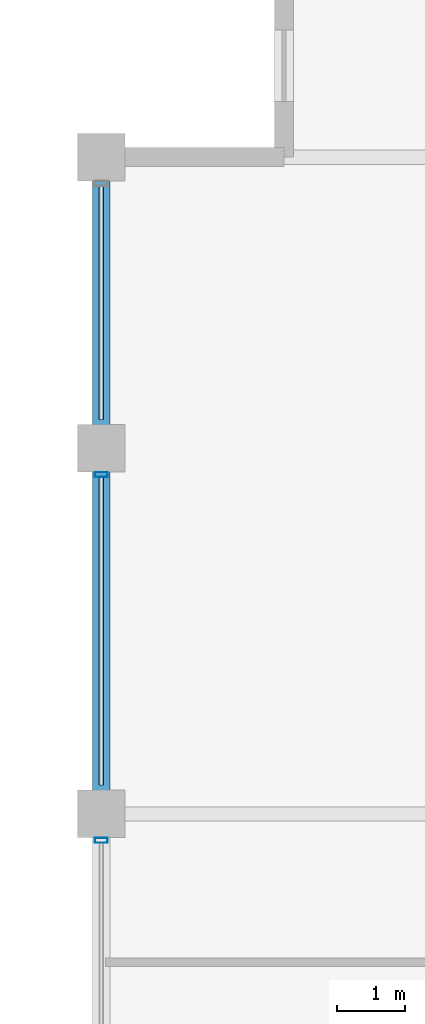
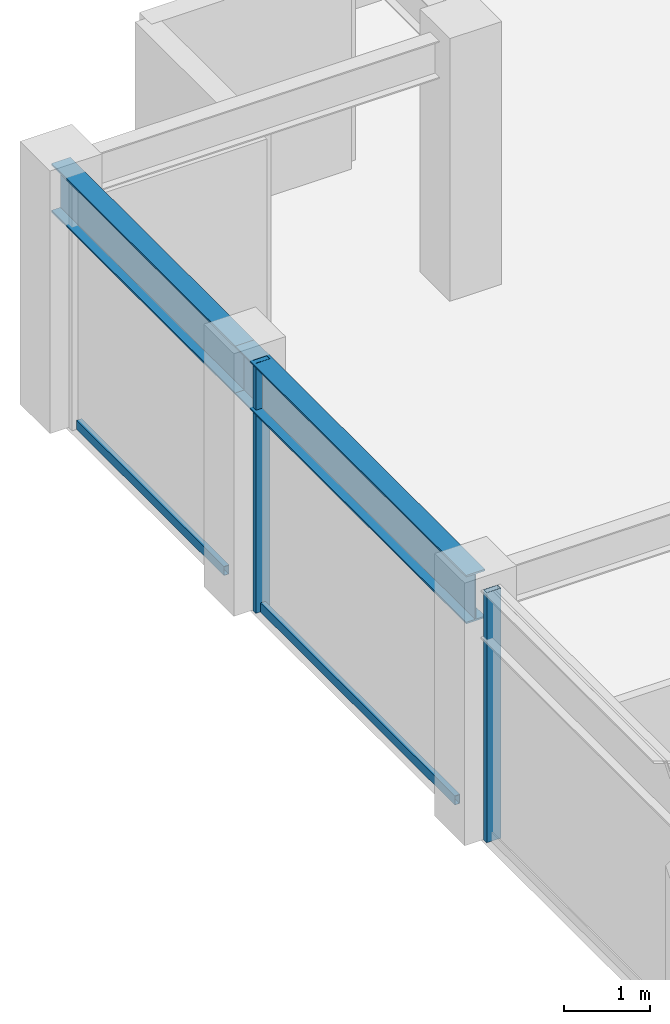
# One storey, part 14 of 30: 4 members, 2 beams, 1 element without a shape of its own.
"""IFC4 building model written with IfcOpenShell, lengths in metres."""

import ifcopenshell
import ifcopenshell.guid

model = None  # the IFC model being written
_history = None  # IfcOwnerHistory: only IFC2X3 demands one
_inside = {}  # id of a spatial element -> (the spatial element, [elements in it])
_under = {}  # id of a project, library or spatial element -> (it, [spatial elements below it])
_declared = {}  # id of a project -> (the project, [libraries it declares])
_typed = {}  # id of a type object -> (the type object, [elements of that type])
_made_of = {}  # id of a material, layer set ... -> (it, [elements and type objects made of it])


def new_model(schema):
    """Start an empty IFC model of exactly this schema.

    Asked for "IFC4X3", IfcOpenShell would pick the latest addendum, in which some entities
    have other attributes; the version numbers below select the first issue.
    IFC2X3 requires an IfcOwnerHistory on every rooted entity: one is made here for all.
    """
    global model, _history
    if schema == "IFC4X3":
        model = ifcopenshell.file(schema_version=(4, 3, 0, 0))
    else:
        model = ifcopenshell.file(schema=schema)
    _inside.clear()
    _under.clear()
    _declared.clear()
    _typed.clear()
    _made_of.clear()
    _history = None
    if model.schema == "IFC2X3":
        org = make("IfcOrganization", Name="unknown")
        user = make(
            "IfcPersonAndOrganization",
            ThePerson=make("IfcPerson", FamilyName="unknown"),
            TheOrganization=org,
        )
        app = make(
            "IfcApplication",
            ApplicationDeveloper=org,
            Version="unknown",
            ApplicationFullName="unknown",
            ApplicationIdentifier="unknown",
        )
        _history = make(
            "IfcOwnerHistory",
            OwningUser=user,
            OwningApplication=app,
            ChangeAction="ADDED",
            CreationDate=0,
        )
    return model


def make(cls, **values):
    """One entity of the class cls with the attributes given. An attribute that is None is left unset."""
    return model.create_entity(
        cls, **{name: value for name, value in values.items() if value is not None}
    )


def rooted(cls, **values):
    """An entity with a GlobalId (a new one), such as an element, a storey or a relation."""
    return make(cls, GlobalId=ifcopenshell.guid.new(), OwnerHistory=_history, **values)


def si_unit(unit_type, name, prefix=None):
    """IfcSIUnit, for example si_unit("LENGTHUNIT", "METRE", prefix="MILLI")."""
    return make("IfcSIUnit", UnitType=unit_type, Prefix=prefix, Name=name)


def assignment(units):
    """IfcUnitAssignment: the units of a project."""
    return None if units is None else make("IfcUnitAssignment", Units=units)


def point(xyz):
    """IfcCartesianPoint."""
    return None if xyz is None else make("IfcCartesianPoint", Coordinates=xyz)


def direction(xyz):
    """IfcDirection."""
    return None if xyz is None else make("IfcDirection", DirectionRatios=xyz)


def frame(location, z_axis=None, x_axis=None):
    """IfcAxis2Placement3D, a coordinate frame: its origin and axes. An axis left out is left unset."""
    return make(
        "IfcAxis2Placement3D",
        Location=point(location),
        Axis=direction(z_axis),
        RefDirection=direction(x_axis),
    )


def frame_2d(location, x_axis=None):
    """IfcAxis2Placement2D, a coordinate frame in the plane: its origin and x axis."""
    return make(
        "IfcAxis2Placement2D", Location=point(location), RefDirection=direction(x_axis)
    )


def origin():
    """The frame at (0, 0, 0) with its axes left unset."""
    return frame((0.0, 0.0, 0.0))


def origin_2d():
    """The frame at (0, 0) in the plane with its x axis left unset."""
    return frame_2d((0.0, 0.0))


def place(relative_to, where):
    """IfcLocalPlacement: puts the frame where relative to a parent placement (None: the world)."""
    return make(
        "IfcLocalPlacement", PlacementRelTo=relative_to, RelativePlacement=where
    )


def context(
    kind, dimensions, precision=None, world=None, true_north=None, identifier=None
):
    """IfcGeometricRepresentationContext, for example the 3D "Model" context."""
    return make(
        "IfcGeometricRepresentationContext",
        ContextIdentifier=identifier,
        ContextType=kind,
        CoordinateSpaceDimension=dimensions,
        Precision=precision,
        WorldCoordinateSystem=world,
        TrueNorth=true_north,
    )


def subcontext(parent, identifier, kind, view, scale=None):
    """IfcGeometricRepresentationSubContext, for example "Body" below "Model"."""
    return make(
        "IfcGeometricRepresentationSubContext",
        ContextIdentifier=identifier,
        ContextType=kind,
        ParentContext=parent,
        TargetScale=scale,
        TargetView=view,
    )


def project(units=None, contexts=None):
    """IfcProject with its units and contexts."""
    return rooted(
        "IfcProject",
        Name="project",
        RepresentationContexts=contexts,
        UnitsInContext=assignment(units),
    )


def spatial(cls, under=None, at=None, **own):
    """A site, building, storey or space (cls), placed at a placement, below another one or the project."""
    s = rooted(cls, ObjectPlacement=at, **own)
    if under is not None:
        _under.setdefault(under.id(), (under, []))[1].append(s)
    return s


def profile(cls, at=None, kind="AREA", **sizes):
    """A parametric profile (cls). Its sizes go by their IFC names, for example OverallWidth=200.0."""
    return make(cls, ProfileType=kind, Position=at, **sizes)


def hollow_rectangle(**sizes):
    """IfcRectangleHollowProfileDef."""
    return profile("IfcRectangleHollowProfileDef", **sizes)


def i_section(**sizes):
    """IfcIShapeProfileDef."""
    return profile("IfcIShapeProfileDef", **sizes)


def extrude(swept, where, along, depth):
    """IfcExtrudedAreaSolid: the profile swept, set in the frame where, extruded along a direction by depth."""
    return make(
        "IfcExtrudedAreaSolid",
        SweptArea=swept,
        Position=where,
        ExtrudedDirection=direction(along),
        Depth=depth,
    )


def shape(context_of_items, identifier, shape_type, items):
    """IfcShapeRepresentation: the items that make up one representation, for example the "Body"."""
    return make(
        "IfcShapeRepresentation",
        ContextOfItems=context_of_items,
        RepresentationIdentifier=identifier,
        RepresentationType=shape_type,
        Items=items,
    )


def material(Name=None, Category=None):
    """IfcMaterial."""
    return make("IfcMaterial", Name=Name, Category=Category)


def layer(
    of_material, thickness, ventilated=None, Name=None, Category=None, Priority=None
):
    """IfcMaterialLayer: one layer of a wall or slab, of a material (None: an air gap)."""
    return make(
        "IfcMaterialLayer",
        Material=of_material,
        LayerThickness=thickness,
        IsVentilated=ventilated,
        Name=Name,
        Category=Category,
        Priority=Priority,
    )


def layer_set(layers, Name=None):
    """IfcMaterialLayerSet."""
    return make("IfcMaterialLayerSet", MaterialLayers=layers, LayerSetName=Name)


def material_profile(
    of_material, cross_section, Name=None, Category=None, Priority=None
):
    """IfcMaterialProfile: a cross section and its material."""
    return make(
        "IfcMaterialProfile",
        Name=Name,
        Material=of_material,
        Profile=cross_section,
        Priority=Priority,
        Category=Category,
    )


def profile_set(profiles, Name=None, composite=None):
    """IfcMaterialProfileSet."""
    return make(
        "IfcMaterialProfileSet",
        Name=Name,
        MaterialProfiles=profiles,
        CompositeProfile=composite,
    )


def made_of(thing, what):
    """Note that an element or type object is made of a material, layer set ...; save() writes the relation."""
    if what is not None:
        _made_of.setdefault(what.id(), (what, []))[1].append(thing)
    return thing


def type_object(cls, material=None, **own):
    """A type object (cls), such as IfcWallType, which elements share."""
    return made_of(rooted(cls, **own), material)


def element(
    cls,
    number,
    at=None,
    inside=None,
    cuts=None,
    type_object=None,
    material=None,
    context=None,
    identifier="Body",
    shape_type=None,
    held_by="IfcProductDefinitionShape",
    body=None,
    shapes=None,
    **own,
):
    """One element of the class cls, such as IfcWall. Its Tag is "e" and its number.

    at: its placement. inside: the storey or other place that contains it. cuts: it is an
    opening in that element (IfcRelVoidsElement). A single representation is given by context,
    identifier, shape_type and body (its items); several are given by shapes. held_by: the class
    of the entity that holds the representations. save() writes the other relations.
    """
    e = rooted(cls, Tag="e%d" % number, ObjectPlacement=at, **own)
    if body is not None:
        shapes = [shape(context, identifier, shape_type, body)]
    if shapes is not None:
        e.Representation = make(held_by, Representations=shapes)
    if inside is not None:
        _inside.setdefault(inside.id(), (inside, []))[1].append(e)
    if cuts is not None:
        rooted(
            "IfcRelVoidsElement", RelatingBuildingElement=cuts, RelatedOpeningElement=e
        )
    if type_object is not None:
        _typed.setdefault(type_object.id(), (type_object, []))[1].append(e)
    return made_of(e, material)


def aggregate(whole, parts):
    """IfcRelAggregates: a whole, such as a stair, and the parts it consists of."""
    return rooted("IfcRelAggregates", RelatingObject=whole, RelatedObjects=parts)


def save(model, path):
    """Write the relations noted so far, then the file.

    IfcRelAggregates (storeys below a building ...), IfcRelContainedInSpatialStructure (elements
    in a storey), IfcRelDefinesByType, IfcRelAssociatesMaterial and IfcRelDeclares: one each for
    every whole, place, type object, material and project.
    """
    for whole, parts in _under.values():
        aggregate(whole, parts)
    for where, things in _inside.values():
        rooted(
            "IfcRelContainedInSpatialStructure",
            RelatedElements=things,
            RelatingStructure=where,
        )
    for kind, things in _typed.values():
        rooted("IfcRelDefinesByType", RelatedObjects=things, RelatingType=kind)
    for what, things in _made_of.values():
        rooted("IfcRelAssociatesMaterial", RelatedObjects=things, RelatingMaterial=what)
    for by, libraries in _declared.values():
        rooted("IfcRelDeclares", RelatingContext=by, RelatedDefinitions=libraries)
    model.write(path)


model = new_model("IFC4")

# Units and contexts
model_context = context("Model", 3, precision=1e-05, world=origin(), true_north=direction((0.0, 1.0)))
body_context = subcontext(model_context, "Body", "Model", "MODEL_VIEW")
ifc_project = project(units=[si_unit("LENGTHUNIT", "METRE"), si_unit("AREAUNIT", "SQUARE_METRE"), si_unit("VOLUMEUNIT", "CUBIC_METRE"), si_unit("PLANEANGLEUNIT", "RADIAN"), si_unit("MASSUNIT", "GRAM", prefix="KILO")], contexts=[model_context])

# Site, building, storey
site_placement = place(None, origin())
site = spatial("IfcSite", under=ifc_project, at=site_placement, CompositionType="ELEMENT")
building_placement = place(site_placement, origin())
building = spatial("IfcBuilding", under=site, at=building_placement, Name="Surkhivell Harbour Commons", CompositionType="ELEMENT")
storey_placement = place(building_placement, frame((0.0, 0.0, 281.25)))
storey = spatial("IfcBuildingStorey", under=building, at=storey_placement, Name="L73", CompositionType="ELEMENT", Elevation=281.25)

# Beams
ifc_material_1 = material(Name="Steel S355", Category="steel")
ifc_material_profile_1 = material_profile(ifc_material_1, i_section(OverallWidth=0.256103515625, OverallDepth=0.693115234375, WebThickness=0.014404296875, FlangeThickness=0.023681640625, at=origin_2d()), Name="UB686x254x170")
ifc_profile_set_1 = profile_set([ifc_material_profile_1], Name="Steel S355")
beam_type = type_object("IfcBeamType", Name="BM-SPN-686", PredefinedType="SPANDREL", material=ifc_profile_set_1)
beam_1_placement = place(storey_placement, frame((-27.0, 10.800048828125, 3.223388671875), z_axis=(0.0, 1.0, 0.0), x_axis=(-1.0, 0.0, 0.0)))
element("IfcBeam", 1, at=beam_1_placement, inside=storey, type_object=beam_type, Name="L73 Tube Spandrel (-27.0,10.8)", PredefinedType="SPANDREL", context=body_context, shape_type="SweptSolid", body=[
    extrude(i_section(OverallWidth=0.256103515625, OverallDepth=0.693115234375, WebThickness=0.014404296875, FlangeThickness=0.023681640625, at=origin_2d()), origin(), (0.0, 0.0, 1.0), 5.39990234375),
])
beam_2_placement = place(storey_placement, frame((-27.0, 16.199951171875, 3.223388671875), z_axis=(0.0, 1.0, 0.0), x_axis=(-1.0, 0.0, 0.0)))
element("IfcBeam", 2, at=beam_2_placement, inside=storey, type_object=beam_type, Name="L73 Tube Spandrel (-27.0,16.2)", PredefinedType="SPANDREL", context=body_context, shape_type="SweptSolid", body=[
    extrude(i_section(OverallWidth=0.256103515625, OverallDepth=0.693115234375, WebThickness=0.014404296875, FlangeThickness=0.023681640625, at=origin_2d()), origin(), (0.0, 0.0, 1.0), 4.300048828125),
])

# Curtain wall, members
ifc_material_2 = material(Name="Anodised pale-metal aluminium and insulated glazing", Category="aluminium")
ifc_layer = layer(ifc_material_2, 0.175048828125)
ifc_layer_set = layer_set([ifc_layer], Name="Anodised pale-metal aluminium and insulated glazing")
curtain_wall_type = type_object("IfcCurtainWallType", Name="CW-SYS-Z4", PredefinedType="NOTDEFINED", material=ifc_layer_set)
curtain_wall_placement = place(storey_placement, origin())
curtain_wall = element("IfcCurtainWall", 3, at=curtain_wall_placement, inside=storey, type_object=curtain_wall_type, Name="L73 Curtain Wall CW-L73-E12S1", PredefinedType="NOTDEFINED")
ifc_material_3 = material(Name="Anodised pale-metal aluminium alloy 6063-T6", Category="aluminium")
ifc_material_profile_2 = material_profile(ifc_material_3, hollow_rectangle(XDim=0.074951171875, YDim=0.18994140625, WallThickness=0.00390625, at=origin_2d()), Name="ALU-MULL-75x190")
ifc_profile_set_2 = profile_set([ifc_material_profile_2], Name="Anodised pale-metal aluminium alloy 6063-T6")
member_type_1 = type_object("IfcMemberType", Name="CWM-190", PredefinedType="MULLION", material=ifc_profile_set_2)
member_1_placement = place(storey_placement, frame((-27.0, 15.810546875, 0.0), z_axis=(0.0, 0.0, 1.0), x_axis=(0.0, -1.0, 0.0)))
member_1 = element("IfcMember", 4, at=member_1_placement, type_object=member_type_1, Name="CW-Z4 mullion 2", PredefinedType="MULLION", context=body_context, shape_type="SweptSolid", body=[
    extrude(hollow_rectangle(XDim=0.074951171875, YDim=0.18994140625, WallThickness=0.00390625, at=origin_2d()), origin(), (0.0, 0.0, 1.0), 3.570068359375),
])
member_2_placement = place(storey_placement, frame((-27.0, 10.410400390625, 0.0), z_axis=(0.0, 0.0, 1.0), x_axis=(0.0, -1.0, 0.0)))
member_2 = element("IfcMember", 5, at=member_2_placement, type_object=member_type_1, Name="CW-Z4 mullion 3", PredefinedType="MULLION", context=body_context, shape_type="SweptSolid", body=[
    extrude(hollow_rectangle(XDim=0.074951171875, YDim=0.18994140625, WallThickness=0.00390625, at=origin_2d()), origin(), (0.0, 0.0, 1.0), 3.570068359375),
])
ifc_material_4 = material(Name="Champagne anodised aluminium alloy 6063-T6", Category="aluminium")
ifc_material_profile_3 = material_profile(ifc_material_4, hollow_rectangle(XDim=0.070068359375, YDim=0.1298828125, WallThickness=0.00341796875, at=origin_2d()), Name="ALU-TRAN-70x130")
ifc_profile_set_3 = profile_set([ifc_material_profile_3], Name="Champagne anodised aluminium alloy 6063-T6")
member_type_2 = type_object("IfcMemberType", Name="CWT-130", PredefinedType="USERDEFINED", material=ifc_profile_set_3)
member_3_placement = place(storey_placement, frame((-27.0, 20.072998046875, 0.06494140625), z_axis=(0.0, -1.0, 0.0), x_axis=(1.0, 0.0, 0.0)))
member_3 = element("IfcMember", 6, at=member_3_placement, type_object=member_type_2, Name="CW-Z4 transom 1.1", ObjectType="TRANSOM", PredefinedType="USERDEFINED", context=body_context, shape_type="SweptSolid", body=[
    extrude(hollow_rectangle(XDim=0.070068359375, YDim=0.1298828125, WallThickness=0.00341796875, at=origin_2d()), origin(), (0.0, 0.0, 1.0), 3.446044921875),
])
member_4_placement = place(storey_placement, frame((-27.0, 15.77294921875, 0.06494140625), z_axis=(0.0, -1.0, 0.0), x_axis=(1.0, 0.0, 0.0)))
member_4 = element("IfcMember", 7, at=member_4_placement, type_object=member_type_2, Name="CW-Z4 transom 2.1", ObjectType="TRANSOM", PredefinedType="USERDEFINED", context=body_context, shape_type="SweptSolid", body=[
    extrude(hollow_rectangle(XDim=0.070068359375, YDim=0.1298828125, WallThickness=0.00341796875, at=origin_2d()), origin(), (0.0, 0.0, 1.0), 4.5458984375),
])
aggregate(curtain_wall, [member_3, member_1, member_4, member_2])

save(model, "model.ifc")
